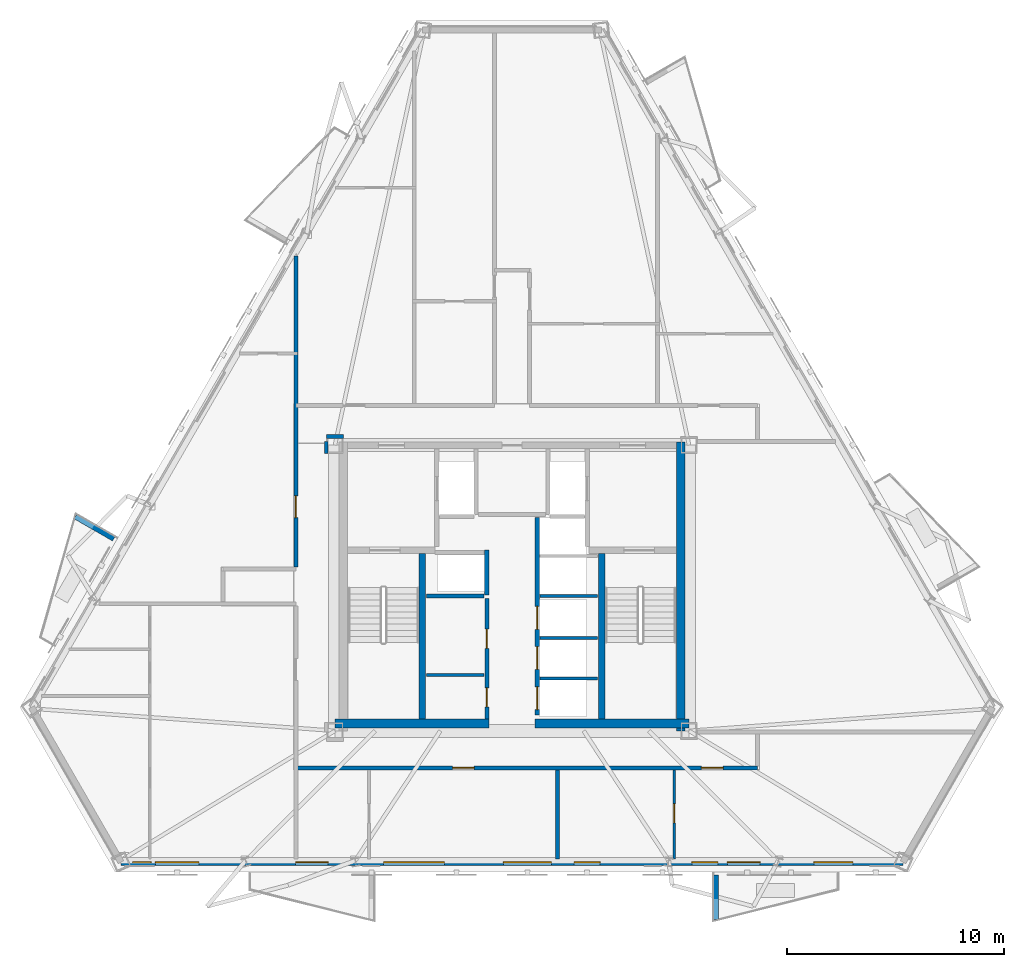
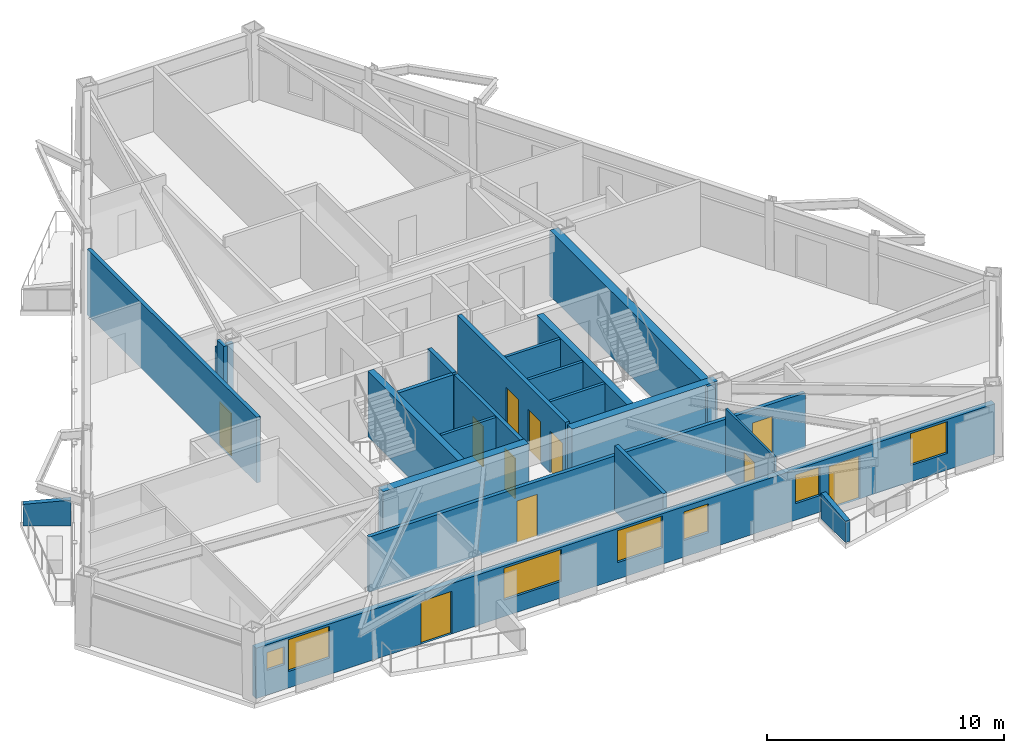
# One storey, part 3 of 9: 22 walls, 11 doors, 7 windows, 18 openings.
"""IFC4 building model written with IfcOpenShell, lengths in metres."""

from ifc_helpers import new_model, si_unit, direction, frame, frame_2d, origin, place, context, subcontext, project, spatial, polyline, rectangle, outline, extrude, material, layer, layer_set, type_object, element, fill, save


model = new_model("IFC4")

# Units and contexts
model_context = context("Model", 3, precision=1e-05, world=origin(), true_north=direction((0.0, 1.0)))
body_context = subcontext(model_context, "Body", "Model", "MODEL_VIEW")
ifc_project = project(units=[si_unit("LENGTHUNIT", "METRE"), si_unit("AREAUNIT", "SQUARE_METRE"), si_unit("VOLUMEUNIT", "CUBIC_METRE"), si_unit("PLANEANGLEUNIT", "RADIAN"), si_unit("MASSUNIT", "GRAM", prefix="KILO")], contexts=[model_context])

# Site, building, storey
site_placement = place(None, origin())
site = spatial("IfcSite", under=ifc_project, at=site_placement, CompositionType="ELEMENT")
building_placement = place(site_placement, origin())
building = spatial("IfcBuilding", under=site, at=building_placement, Name="Oramaril Tower", CompositionType="ELEMENT")
storey_placement = place(building_placement, frame((0.0, 0.0, 178.199951171875)))
storey = spatial("IfcBuildingStorey", under=building, at=storey_placement, Name="L47", CompositionType="ELEMENT", Elevation=178.199951171875)

# Wall, openings, doors, windows
ifc_material_1 = material(Name="Warm Cream Limestone", Category="masonry")
ifc_layer_1 = layer(ifc_material_1, 0.2900390625)
ifc_layer_set_1 = layer_set([ifc_layer_1], Name="WT-EXT29")
wall_type_1 = type_object("IfcWallType", Name="WT-EXT29", PredefinedType="SOLIDWALL", material=ifc_layer_set_1)
wall_1_placement = place(storey_placement, frame((19.50390625, 4.956787109375, 0.0), z_axis=(0.0, 0.0, 1.0), x_axis=(1.0, 0.0, 0.0)))
wall_1 = element("IfcWall", 1, at=wall_1_placement, inside=storey, type_object=wall_type_1, Name="L47 Tower Limestone Facade Wall 2M", PredefinedType="SOLIDWALL", context=body_context, shape_type="SweptSolid", body=[
    extrude(rectangle(XDim=35.9921875, YDim=0.2900390625, at=frame_2d((17.99609375, 0.0))), origin(), (0.0, 0.0, 1.0), 2.60009765625),
])
opening_1_placement = place(wall_1_placement, frame((8.034423828125, 0.0, 0.0)))
opening_1 = element("IfcOpeningElement", 2, at=opening_1_placement, cuts=wall_1, Name="Opening D-L47-BAL-S1", PredefinedType="OPENING", context=body_context, shape_type="SweptSolid", body=[
    extrude(rectangle(XDim=1.5, YDim=2.199951171875, at=frame_2d((0.75, 1.10009765625))), frame((0.0, 0.14501953125, 0.0), z_axis=(0.0, -1.0, 0.0), x_axis=(1.0, 0.0, 0.0)), (0.0, 0.0, 1.0), 0.2900390625),
])
opening_2_placement = place(wall_1_placement, frame((27.91259765625, 0.0, 0.0)))
opening_2 = element("IfcOpeningElement", 3, at=opening_2_placement, cuts=wall_1, Name="Opening D-L47-BAL-S2", PredefinedType="OPENING", context=body_context, shape_type="SweptSolid", body=[
    extrude(rectangle(XDim=1.5, YDim=2.199951171875, at=frame_2d((0.75, 1.10009765625))), frame((0.0, 0.14501953125, 0.0), z_axis=(0.0, -1.0, 0.0), x_axis=(1.0, 0.0, 0.0)), (0.0, 0.0, 1.0), 0.2900390625),
])
opening_3_placement = place(wall_1_placement, frame((12.08544921875, 0.0, 0.85009765625)))
opening_3 = element("IfcOpeningElement", 4, at=opening_3_placement, cuts=wall_1, Name="Opening WN-01", PredefinedType="OPENING", context=body_context, shape_type="SweptSolid", body=[
    extrude(rectangle(XDim=2.800048828125, YDim=1.639892578125, at=frame_2d((1.39990234375, 0.81982421875))), frame((0.0, 0.14501953125, 0.0), z_axis=(0.0, -1.0, 0.0), x_axis=(1.0, 0.0, 0.0)), (0.0, 0.0, 1.0), 0.2900390625),
])
opening_4_placement = place(wall_1_placement, frame((17.60302734375, 0.0, 0.85009765625)))
opening_4 = element("IfcOpeningElement", 5, at=opening_4_placement, cuts=wall_1, Name="Opening WN-04", PredefinedType="OPENING", context=body_context, shape_type="SweptSolid", body=[
    extrude(rectangle(XDim=2.199951171875, YDim=1.639892578125, at=frame_2d((1.10009765625, 0.81982421875))), frame((0.0, 0.14501953125, 0.0), z_axis=(0.0, -1.0, 0.0), x_axis=(1.0, 0.0, 0.0)), (0.0, 0.0, 1.0), 0.2900390625),
])
opening_5_placement = place(wall_1_placement, frame((26.271728515625, 0.0, 0.85009765625)))
opening_5 = element("IfcOpeningElement", 6, at=opening_5_placement, cuts=wall_1, Name="Opening WN-09", PredefinedType="OPENING", context=body_context, shape_type="SweptSolid", body=[
    extrude(rectangle(XDim=1.199951171875, YDim=1.47998046875, at=frame_2d((0.60009765625, 0.739990234375))), frame((0.0, 0.14501953125, 0.0), z_axis=(0.0, -1.0, 0.0), x_axis=(1.0, 0.0, 0.0)), (0.0, 0.0, 1.0), 0.2900390625),
])
opening_6_placement = place(wall_1_placement, frame((31.88525390625, 0.0, 0.85009765625)))
opening_6 = element("IfcOpeningElement", 7, at=opening_6_placement, cuts=wall_1, Name="Opening WN-06", PredefinedType="OPENING", context=body_context, shape_type="SweptSolid", body=[
    extrude(rectangle(XDim=1.800048828125, YDim=1.639892578125, at=frame_2d((0.89990234375, 0.81982421875))), frame((0.0, 0.14501953125, 0.0), z_axis=(0.0, -1.0, 0.0), x_axis=(1.0, 0.0, 0.0)), (0.0, 0.0, 1.0), 0.2900390625),
])
opening_7_placement = place(wall_1_placement, frame((20.85400390625, 0.0, 0.85009765625)))
opening_7 = element("IfcOpeningElement", 8, at=opening_7_placement, cuts=wall_1, Name="Opening WN-09", PredefinedType="OPENING", context=body_context, shape_type="SweptSolid", body=[
    extrude(rectangle(XDim=1.199951171875, YDim=1.47998046875, at=frame_2d((0.60009765625, 0.739990234375))), frame((0.0, 0.14501953125, 0.0), z_axis=(0.0, -1.0, 0.0), x_axis=(1.0, 0.0, 0.0)), (0.0, 0.0, 1.0), 0.2900390625),
])
opening_8_placement = place(wall_1_placement, frame((1.5869140625, 0.0, 0.85009765625)))
opening_8 = element("IfcOpeningElement", 9, at=opening_8_placement, cuts=wall_1, Name="Opening WN-05", PredefinedType="OPENING", context=body_context, shape_type="SweptSolid", body=[
    extrude(rectangle(XDim=2.0, YDim=1.639892578125, at=frame_2d((1.0, 0.81982421875))), frame((0.0, 0.14501953125, 0.0), z_axis=(0.0, -1.0, 0.0), x_axis=(1.0, 0.0, 0.0)), (0.0, 0.0, 1.0), 0.2900390625),
])
opening_9_placement = place(wall_1_placement, frame((0.534912109375, 0.0, 1.280029296875)))
opening_9 = element("IfcOpeningElement", 10, at=opening_9_placement, cuts=wall_1, Name="Opening WN-13", PredefinedType="OPENING", context=body_context, shape_type="SweptSolid", body=[
    extrude(rectangle(XDim=0.85009765625, YDim=0.919921875, at=frame_2d((0.425048828125, 0.4599609375))), frame((0.0, 0.14501953125, 0.0), z_axis=(0.0, -1.0, 0.0), x_axis=(1.0, 0.0, 0.0)), (0.0, 0.0, 1.0), 0.2900390625),
])
ifc_material_2 = material(Name="Anodised Aluminium 6063-T6", Category="aluminium")
door_type_1 = type_object("IfcDoorType", Name="DT-BAL", OperationType="NOTDEFINED", PredefinedType="DOOR", material=ifc_material_2)
door_1_placement = place(opening_1_placement, origin())
door_1 = element("IfcDoor", 11, at=door_1_placement, inside=storey, type_object=door_type_1, Name="L47 Balcony Glazed Door L47-BAL-S1", OperationType="SINGLE_SWING_RIGHT", OverallHeight=2.199951171875, OverallWidth=1.5, PredefinedType="DOOR", context=body_context, shape_type="SweptSolid", body=[
    extrude(rectangle(XDim=1.5, YDim=2.199951171875, at=frame_2d((0.75, 1.10009765625))), frame((0.0, 0.02490234375, 0.0), z_axis=(0.0, -1.0, 0.0), x_axis=(1.0, 0.0, 0.0)), (0.0, 0.0, 1.0), 0.050048828125),
])
fill(opening_1, door_1)
door_2_placement = place(opening_2_placement, origin())
door_2 = element("IfcDoor", 12, at=door_2_placement, inside=storey, type_object=door_type_1, Name="L47 Balcony Glazed Door L47-BAL-S2", OperationType="SINGLE_SWING_LEFT", OverallHeight=2.199951171875, OverallWidth=1.5, PredefinedType="DOOR", context=body_context, shape_type="SweptSolid", body=[
    extrude(rectangle(XDim=1.5, YDim=2.199951171875, at=frame_2d((0.75, 1.10009765625))), frame((0.0, 0.02490234375, 0.0), z_axis=(0.0, -1.0, 0.0), x_axis=(1.0, 0.0, 0.0)), (0.0, 0.0, 1.0), 0.050048828125),
])
fill(opening_2, door_2)
ifc_material_3 = material(Name="Coastal Low-E Insulated Glass", Category="glass")
window_type_1 = type_object("IfcWindowType", Name="WNT-01", PartitioningType="SINGLE_PANEL", PredefinedType="WINDOW", material=ifc_material_3)
window_1_placement = place(opening_3_placement, origin())
window_1 = element("IfcWindow", 13, at=window_1_placement, inside=storey, type_object=window_type_1, Name="L47 Chicago Bay Window WN-01", OverallHeight=1.639892578125, OverallWidth=2.800048828125, PartitioningType="SINGLE_PANEL", PredefinedType="WINDOW", context=body_context, shape_type="SweptSolid", body=[
    extrude(rectangle(XDim=2.800048828125, YDim=1.639892578125, at=frame_2d((1.39990234375, 0.81982421875))), frame((0.0, 0.030029296875, 0.0), z_axis=(0.0, -1.0, 0.0), x_axis=(1.0, 0.0, 0.0)), (0.0, 0.0, 1.0), 0.06005859375),
])
fill(opening_3, window_1)
ifc_material_4 = material(Name="Coastal Low-E Insulated Glass", Category="glass")
window_type_2 = type_object("IfcWindowType", Name="WNT-04", PartitioningType="SINGLE_PANEL", PredefinedType="WINDOW", material=ifc_material_4)
window_2_placement = place(opening_4_placement, origin())
window_2 = element("IfcWindow", 14, at=window_2_placement, inside=storey, type_object=window_type_2, Name="L47 Chicago Bay Window WN-04", OverallHeight=1.639892578125, OverallWidth=2.199951171875, PartitioningType="SINGLE_PANEL", PredefinedType="WINDOW", context=body_context, shape_type="SweptSolid", body=[
    extrude(rectangle(XDim=2.199951171875, YDim=1.639892578125, at=frame_2d((1.10009765625, 0.81982421875))), frame((0.0, 0.030029296875, 0.0), z_axis=(0.0, -1.0, 0.0), x_axis=(1.0, 0.0, 0.0)), (0.0, 0.0, 1.0), 0.06005859375),
])
fill(opening_4, window_2)
ifc_material_5 = material(Name="Coastal Low-E Insulated Glass", Category="glass")
window_type_3 = type_object("IfcWindowType", Name="WNT-05", PartitioningType="SINGLE_PANEL", PredefinedType="WINDOW", material=ifc_material_5)
window_3_placement = place(opening_8_placement, origin())
window_3 = element("IfcWindow", 15, at=window_3_placement, inside=storey, type_object=window_type_3, Name="L47 Chicago Bay Window WN-05", OverallHeight=1.639892578125, OverallWidth=2.0, PartitioningType="SINGLE_PANEL", PredefinedType="WINDOW", context=body_context, shape_type="SweptSolid", body=[
    extrude(rectangle(XDim=2.0, YDim=1.639892578125, at=frame_2d((1.0, 0.81982421875))), frame((0.0, 0.030029296875, 0.0), z_axis=(0.0, -1.0, 0.0), x_axis=(1.0, 0.0, 0.0)), (0.0, 0.0, 1.0), 0.06005859375),
])
fill(opening_8, window_3)
ifc_material_6 = material(Name="Coastal Low-E Insulated Glass", Category="glass")
window_type_4 = type_object("IfcWindowType", Name="WNT-06", PartitioningType="SINGLE_PANEL", PredefinedType="WINDOW", material=ifc_material_6)
window_4_placement = place(opening_6_placement, origin())
window_4 = element("IfcWindow", 16, at=window_4_placement, inside=storey, type_object=window_type_4, Name="L47 Chicago Bay Window WN-06", OverallHeight=1.639892578125, OverallWidth=1.800048828125, PartitioningType="SINGLE_PANEL", PredefinedType="WINDOW", context=body_context, shape_type="SweptSolid", body=[
    extrude(rectangle(XDim=1.800048828125, YDim=1.639892578125, at=frame_2d((0.89990234375, 0.81982421875))), frame((0.0, 0.030029296875, 0.0), z_axis=(0.0, -1.0, 0.0), x_axis=(1.0, 0.0, 0.0)), (0.0, 0.0, 1.0), 0.06005859375),
])
fill(opening_6, window_4)
ifc_material_7 = material(Name="Coastal Low-E Insulated Glass", Category="glass")
window_type_5 = type_object("IfcWindowType", Name="WNT-09", PartitioningType="SINGLE_PANEL", PredefinedType="WINDOW", material=ifc_material_7)
window_5_placement = place(opening_5_placement, origin())
window_5 = element("IfcWindow", 17, at=window_5_placement, inside=storey, type_object=window_type_5, Name="L47 Chicago Bay Window WN-09", OverallHeight=1.47998046875, OverallWidth=1.199951171875, PartitioningType="SINGLE_PANEL", PredefinedType="WINDOW", context=body_context, shape_type="SweptSolid", body=[
    extrude(rectangle(XDim=1.199951171875, YDim=1.47998046875, at=frame_2d((0.60009765625, 0.739990234375))), frame((0.0, 0.030029296875, 0.0), z_axis=(0.0, -1.0, 0.0), x_axis=(1.0, 0.0, 0.0)), (0.0, 0.0, 1.0), 0.06005859375),
])
fill(opening_5, window_5)
window_6_placement = place(opening_7_placement, origin())
window_6 = element("IfcWindow", 18, at=window_6_placement, inside=storey, type_object=window_type_5, Name="L47 Chicago Bay Window WN-09", OverallHeight=1.47998046875, OverallWidth=1.199951171875, PartitioningType="SINGLE_PANEL", PredefinedType="WINDOW", context=body_context, shape_type="SweptSolid", body=[
    extrude(rectangle(XDim=1.199951171875, YDim=1.47998046875, at=frame_2d((0.60009765625, 0.739990234375))), frame((0.0, 0.030029296875, 0.0), z_axis=(0.0, -1.0, 0.0), x_axis=(1.0, 0.0, 0.0)), (0.0, 0.0, 1.0), 0.06005859375),
])
fill(opening_7, window_6)
ifc_material_8 = material(Name="Coastal Low-E Insulated Glass", Category="glass")
window_type_6 = type_object("IfcWindowType", Name="WNT-13", PartitioningType="SINGLE_PANEL", PredefinedType="WINDOW", material=ifc_material_8)
window_7_placement = place(opening_9_placement, origin())
window_7 = element("IfcWindow", 19, at=window_7_placement, inside=storey, type_object=window_type_6, Name="L47 Apartment Bedroom Window WN-13", OverallHeight=0.919921875, OverallWidth=0.85009765625, PartitioningType="SINGLE_PANEL", PredefinedType="WINDOW", context=body_context, shape_type="SweptSolid", body=[
    extrude(rectangle(XDim=0.85009765625, YDim=0.919921875, at=frame_2d((0.425048828125, 0.4599609375))), frame((0.0, 0.030029296875, 0.0), z_axis=(0.0, -1.0, 0.0), x_axis=(1.0, 0.0, 0.0)), (0.0, 0.0, 1.0), 0.06005859375),
])
fill(opening_9, window_7)

# Walls
ifc_material_9 = material(Name="Concrete C40/50", Category="concrete")
ifc_layer_2 = layer(ifc_material_9, 0.22998046875)
ifc_layer_set_2 = layer_set([ifc_layer_2], Name="WT-PRP23")
wall_type_2 = type_object("IfcWallType", Name="WT-PRP23", PredefinedType="PARAPET", material=ifc_layer_set_2)
for number, where, z_axis, x_axis, name in (
    (20, (46.8916015625, 4.35888671875, 0.0), (0.0, 0.0, 1.0), (0.0, -1.0, 0.0), "L47 Trapezoidal Balcony Frame Cheek L47-BAL-S2-L"),
    (21, (19.171875, 19.837158203125, 0.0), (0.0, 0.0, 1.0), (-0.866012356593, 0.500022597718, 0.0), "L47 Trapezoidal Balcony Frame Cheek L47-BAL-NW2-L"),
):
    element("IfcWall", number, at=place(storey_placement, frame(where, z_axis=z_axis, x_axis=x_axis)), inside=storey, type_object=wall_type_2, Name=name, PredefinedType="PARAPET", context=body_context, shape_type="SweptSolid", body=[
        extrude(outline(polyline([(0.0, 0.0), (2.0419921875, 0.0), (2.0419921875, 1.10009765625), (0.0, 1.320068359375), (0.0, 0.0)])), frame((0.0, 0.114990234375, 0.0), z_axis=(0.0, -1.0, 0.0), x_axis=(1.0, 0.0, 0.0)), (0.0, 0.0, 1.0), 0.22998046875),
    ])

# Wall, opening, door
ifc_material_10 = material(Name="Acoustic Gypsum Board Partition")
ifc_layer_3 = layer(ifc_material_10, 0.10009765625)
ifc_layer_set_3 = layer_set([ifc_layer_3], Name="WT-PT10")
wall_type_3 = type_object("IfcWallType", Name="WT-PT10", PredefinedType="PARTITIONING", material=ifc_layer_set_3)
wall_2_placement = place(storey_placement, frame((44.969970703125, 5.105712890625, 0.0), z_axis=(0.0, 0.0, 1.0), x_axis=(0.0, 1.0, 0.0)))
wall_2 = element("IfcWall", 22, at=wall_2_placement, inside=storey, type_object=wall_type_3, Name="L47 Interior Partition PT-10", PredefinedType="PARTITIONING", context=body_context, shape_type="SweptSolid", body=[
    extrude(rectangle(XDim=4.100341796875, YDim=0.10009765625, at=frame_2d((2.05029296875, 0.0))), origin(), (0.0, 0.0, 1.0), 3.380126953125),
])
opening_10_placement = place(wall_2_placement, frame((1.65771484375, 0.0, 0.0)))
opening_10 = element("IfcOpeningElement", 23, at=opening_10_placement, cuts=wall_2, Name="Opening D-L47-18", PredefinedType="OPENING", context=body_context, shape_type="SweptSolid", body=[
    extrude(rectangle(XDim=0.8798828125, YDim=2.080078125, at=frame_2d((0.43994140625, 1.0400390625))), frame((0.0, 0.050048828125, 0.0), z_axis=(0.0, -1.0, 0.0), x_axis=(1.0, 0.0, 0.0)), (0.0, 0.0, 1.0), 0.10009765625),
])
ifc_material_11 = material(Name="FSC Brazilian Freijo Hardwood", Category="wood")
door_type_2 = type_object("IfcDoorType", Name="DT-BATH", OperationType="NOTDEFINED", PredefinedType="DOOR", material=ifc_material_11)
door_3_placement = place(opening_10_placement, origin())
door_3 = element("IfcDoor", 24, at=door_3_placement, inside=storey, type_object=door_type_2, Name="L47 Flat L47-U2 Bathroom Door D-L47-18", OperationType="SINGLE_SWING_LEFT", OverallHeight=2.080078125, OverallWidth=0.8798828125, PredefinedType="DOOR", context=body_context, shape_type="SweptSolid", body=[
    extrude(rectangle(XDim=0.8798828125, YDim=2.080078125, at=frame_2d((0.43994140625, 1.0400390625))), frame((0.0, 0.02490234375, 0.0), z_axis=(0.0, -1.0, 0.0), x_axis=(1.0, 0.0, 0.0)), (0.0, 0.0, 1.0), 0.050048828125),
])
fill(opening_10, door_3)

# Walls
ifc_material_12 = material(Name="Acoustic Gypsum Board Partition")
ifc_layer_4 = layer(ifc_material_12, 0.139892578125)
ifc_layer_set_4 = layer_set([ifc_layer_4], Name="WT-PT14")
wall_type_4 = type_object("IfcWallType", Name="WT-PT14", PredefinedType="PARTITIONING", material=ifc_layer_set_4)
for number, where, z_axis, x_axis, name in (
    (25, (33.56005859375, 13.570068359375, 0.0), (0.0, 0.0, 1.0), (1.0, 0.0, 0.0), "L47 Freed Shaft Divider"),
    (26, (38.780029296875, 13.419921875, 0.0), (0.0, 0.0, 1.0), (1.0, 0.0, 0.0), "L47 East Lift Divider"),
    (27, (38.780029296875, 15.27001953125, 0.0), (0.0, 0.0, 1.0), (1.0, 0.0, 0.0), "L47 East Lift Divider"),
    (28, (38.780029296875, 17.199951171875, 0.0), (0.0, 0.0, 1.0), (1.0, 0.0, 0.0), "L47 East Lift Divider"),
):
    element("IfcWall", number, at=place(storey_placement, frame(where, z_axis=z_axis, x_axis=x_axis)), inside=storey, type_object=wall_type_4, Name=name, PredefinedType="PARTITIONING", context=body_context, shape_type="SweptSolid", body=[
        extrude(rectangle(XDim=2.659912109375, YDim=0.139892578125, at=frame_2d((1.330078125, 0.0))), origin(), (0.0, 0.0, 1.0), 3.380126953125),
    ])
ifc_material_13 = material(Name="Autoclaved Cellular Concrete Block", Category="concrete")
ifc_layer_5 = layer(ifc_material_13, 0.179931640625)
ifc_layer_set_5 = layer_set([ifc_layer_5], Name="WT-PT18")
wall_type_5 = type_object("IfcWallType", Name="WT-PT18", PredefinedType="PARTITIONING", material=ifc_layer_set_5)
wall_3_placement = place(storey_placement, frame((33.56005859375, 17.199951171875, 0.0), z_axis=(0.0, 0.0, 1.0), x_axis=(1.0, 0.0, 0.0)))
element("IfcWall", 29, at=wall_3_placement, inside=storey, type_object=wall_type_5, Name="L47 High-Rise Lift H1 South Wall", PredefinedType="PARTITIONING", context=body_context, shape_type="SweptSolid", body=[
    extrude(rectangle(XDim=2.659912109375, YDim=0.179931640625, at=frame_2d((1.330078125, 0.0))), origin(), (0.0, 0.0, 1.0), 3.380126953125),
])

# Wall, openings, doors
wall_4_placement = place(storey_placement, frame((36.340087890625, 11.550048828125, 0.0), z_axis=(0.0, 0.0, 1.0), x_axis=(0.0, 1.0, 0.0)))
wall_4 = element("IfcWall", 30, at=wall_4_placement, inside=storey, type_object=wall_type_5, Name="L47 Freed Shaft Study East Wall", PredefinedType="PARTITIONING", context=body_context, shape_type="SweptSolid", body=[
    extrude(rectangle(XDim=5.550048828125, YDim=0.179931640625, at=frame_2d((2.77490234375, 0.0))), origin(), (0.0, 0.0, 1.0), 3.380126953125),
])
opening_11_placement = place(wall_4_placement, frame((0.550048828125, 0.0, 0.0)))
opening_11 = element("IfcOpeningElement", 31, at=opening_11_placement, cuts=wall_4, Name="Opening D-L47-FL1", PredefinedType="OPENING", context=body_context, shape_type="SweptSolid", body=[
    extrude(rectangle(XDim=0.8798828125, YDim=2.080078125, at=frame_2d((0.43994140625, 1.0400390625))), frame((0.0, 0.08984375, 0.0), z_axis=(0.0, -1.0, 0.0), x_axis=(1.0, 0.0, 0.0)), (0.0, 0.0, 1.0), 0.179931640625),
])
opening_12_placement = place(wall_4_placement, frame((3.25, 0.0, 0.0)))
opening_12 = element("IfcOpeningElement", 32, at=opening_12_placement, cuts=wall_4, Name="Opening D-L47-FL2", PredefinedType="OPENING", context=body_context, shape_type="SweptSolid", body=[
    extrude(rectangle(XDim=0.8798828125, YDim=2.080078125, at=frame_2d((0.43994140625, 1.0400390625))), frame((0.0, 0.08984375, 0.0), z_axis=(0.0, -1.0, 0.0), x_axis=(1.0, 0.0, 0.0)), (0.0, 0.0, 1.0), 0.179931640625),
])
door_4_placement = place(opening_11_placement, origin())
door_4 = element("IfcDoor", 33, at=door_4_placement, inside=storey, type_object=door_type_2, Name="L47 L47 Residents Tasting Dining Nook Door", OperationType="SINGLE_SWING_LEFT", OverallHeight=2.080078125, OverallWidth=0.8798828125, PredefinedType="DOOR", context=body_context, shape_type="SweptSolid", body=[
    extrude(rectangle(XDim=0.8798828125, YDim=2.080078125, at=frame_2d((0.43994140625, 1.0400390625))), frame((0.0, 0.02490234375, 0.0), z_axis=(0.0, -1.0, 0.0), x_axis=(1.0, 0.0, 0.0)), (0.0, 0.0, 1.0), 0.050048828125),
])
fill(opening_11, door_4)
door_5_placement = place(opening_12_placement, origin())
door_5 = element("IfcDoor", 34, at=door_5_placement, inside=storey, type_object=door_type_2, Name="L47 L47 Floor Co-Work Office Door", OperationType="SINGLE_SWING_RIGHT", OverallHeight=2.080078125, OverallWidth=0.8798828125, PredefinedType="DOOR", context=body_context, shape_type="SweptSolid", body=[
    extrude(rectangle(XDim=0.8798828125, YDim=2.080078125, at=frame_2d((0.43994140625, 1.0400390625))), frame((0.0, 0.02490234375, 0.0), z_axis=(0.0, -1.0, 0.0), x_axis=(1.0, 0.0, 0.0)), (0.0, 0.0, 1.0), 0.050048828125),
])
fill(opening_12, door_5)

wall_5_placement = place(storey_placement, frame((27.550048828125, 9.300048828125, 0.0), z_axis=(0.0, 0.0, 1.0), x_axis=(1.0, 0.0, 0.0)))
wall_5 = element("IfcWall", 35, at=wall_5_placement, inside=storey, type_object=wall_type_5, Name="L47 Interior Partition PT-18", PredefinedType="PARTITIONING", context=body_context, shape_type="SweptSolid", body=[
    extrude(rectangle(XDim=21.25, YDim=0.179931640625, at=frame_2d((10.625, 0.0))), origin(), (0.0, 0.0, 1.0), 2.842041015625),
])
opening_13_placement = place(wall_5_placement, frame((7.2119140625, 0.0, 0.0)))
opening_13 = element("IfcOpeningElement", 36, at=opening_13_placement, cuts=wall_5, Name="Opening D-L47-01", PredefinedType="OPENING", context=body_context, shape_type="SweptSolid", body=[
    extrude(rectangle(XDim=1.0, YDim=2.179931640625, at=frame_2d((0.5, 1.08984375))), frame((0.0, 0.08984375, 0.0), z_axis=(0.0, -1.0, 0.0), x_axis=(1.0, 0.0, 0.0)), (0.0, 0.0, 1.0), 0.179931640625),
])
opening_14_placement = place(wall_5_placement, frame((18.670654296875, 0.0, 0.0)))
opening_14 = element("IfcOpeningElement", 37, at=opening_14_placement, cuts=wall_5, Name="Opening D-L47-02", PredefinedType="OPENING", context=body_context, shape_type="SweptSolid", body=[
    extrude(rectangle(XDim=1.0, YDim=2.179931640625, at=frame_2d((0.5, 1.08984375))), frame((0.0, 0.08984375, 0.0), z_axis=(0.0, -1.0, 0.0), x_axis=(1.0, 0.0, 0.0)), (0.0, 0.0, 1.0), 0.179931640625),
])
ifc_material_14 = material(Name="FSC Brazilian Freijo Hardwood", Category="wood")
door_type_3 = type_object("IfcDoorType", Name="DT-APT", OperationType="NOTDEFINED", PredefinedType="DOOR", material=ifc_material_14)
door_6_placement = place(opening_13_placement, origin())
door_6 = element("IfcDoor", 38, at=door_6_placement, inside=storey, type_object=door_type_3, Name="L47 Flat L47-U1 Kitchen and Studio Apartment Door D-L47-01", OperationType="SINGLE_SWING_RIGHT", OverallHeight=2.179931640625, OverallWidth=1.0, PredefinedType="DOOR", context=body_context, shape_type="SweptSolid", body=[
    extrude(rectangle(XDim=1.0, YDim=2.179931640625, at=frame_2d((0.5, 1.08984375))), frame((0.0, 0.02490234375, 0.0), z_axis=(0.0, -1.0, 0.0), x_axis=(1.0, 0.0, 0.0)), (0.0, 0.0, 1.0), 0.050048828125),
])
fill(opening_13, door_6)
door_7_placement = place(opening_14_placement, origin())
door_7 = element("IfcDoor", 39, at=door_7_placement, inside=storey, type_object=door_type_3, Name="L47 Flat L47-U2 Kitchen and Studio Apartment Door D-L47-02", OperationType="SINGLE_SWING_LEFT", OverallHeight=2.179931640625, OverallWidth=1.0, PredefinedType="DOOR", context=body_context, shape_type="SweptSolid", body=[
    extrude(rectangle(XDim=1.0, YDim=2.179931640625, at=frame_2d((0.5, 1.08984375))), frame((0.0, 0.02490234375, 0.0), z_axis=(0.0, -1.0, 0.0), x_axis=(1.0, 0.0, 0.0)), (0.0, 0.0, 1.0), 0.050048828125),
])
fill(opening_14, door_7)

# Wall
wall_6_placement = place(storey_placement, frame((28.955078125, 24.550048828125, 0.0), z_axis=(0.0, 0.0, 1.0), x_axis=(1.0, 0.0, 0.0)))
element("IfcWall", 40, at=wall_6_placement, inside=storey, type_object=wall_type_5, Name="L47 Interior Partition PT-18", PredefinedType="PARTITIONING", context=body_context, shape_type="SweptSolid", body=[
    extrude(rectangle(XDim=0.7900390625, YDim=0.179931640625, at=frame_2d((0.39501953125, 0.0))), origin(), (0.0, 0.0, 1.0), 2.842041015625),
])

# Wall, opening, door
wall_7_placement = place(storey_placement, frame((27.550048828125, 18.5439453125, 0.0), z_axis=(0.0, 0.0, 1.0), x_axis=(0.0, 1.0, 0.0)))
wall_7 = element("IfcWall", 41, at=wall_7_placement, inside=storey, type_object=wall_type_5, Name="L47 Interior Partition PT-18", PredefinedType="PARTITIONING", context=body_context, shape_type="SweptSolid", body=[
    extrude(rectangle(XDim=14.310546875, YDim=0.179931640625, at=frame_2d((7.1552734375, 0.0))), origin(), (0.0, 0.0, 1.0), 3.380126953125),
])
opening_15_placement = place(wall_7_placement, frame((2.26708984375, 0.0, 0.0)))
opening_15 = element("IfcOpeningElement", 42, at=opening_15_placement, cuts=wall_7, Name="Opening D-L47-14", PredefinedType="OPENING", context=body_context, shape_type="SweptSolid", body=[
    extrude(rectangle(XDim=1.0, YDim=2.179931640625, at=frame_2d((0.5, 1.08984375))), frame((0.0, 0.08984375, 0.0), z_axis=(0.0, -1.0, 0.0), x_axis=(1.0, 0.0, 0.0)), (0.0, 0.0, 1.0), 0.179931640625),
])
door_8_placement = place(opening_15_placement, origin())
door_8 = element("IfcDoor", 43, at=door_8_placement, inside=storey, type_object=door_type_3, Name="L47 Flat L47-U4 Kitchen and Studio Apartment Door D-L47-14", OperationType="SINGLE_SWING_LEFT", OverallHeight=2.179931640625, OverallWidth=1.0, PredefinedType="DOOR", context=body_context, shape_type="SweptSolid", body=[
    extrude(rectangle(XDim=1.0, YDim=2.179931640625, at=frame_2d((0.5, 1.08984375))), frame((0.0, 0.02490234375, 0.0), z_axis=(0.0, -1.0, 0.0), x_axis=(1.0, 0.0, 0.0)), (0.0, 0.0, 1.0), 0.050048828125),
])
fill(opening_15, door_8)

# Walls
wall_8_placement = place(storey_placement, frame((28.949951171875, 23.7548828125, 0.0), z_axis=(0.0, 0.0, 1.0), x_axis=(0.0, 1.0, 0.0)))
element("IfcWall", 44, at=wall_8_placement, inside=storey, type_object=wall_type_5, Name="L47 Interior Partition PT-18", PredefinedType="PARTITIONING", context=body_context, shape_type="SweptSolid", body=[
    extrude(rectangle(XDim=0.565185546875, YDim=0.179931640625, at=frame_2d((0.28271484375, 0.0))), origin(), (0.0, 0.0, 1.0), 3.380126953125),
])
wall_9_placement = place(storey_placement, frame((39.60009765625, 5.105712890625, 0.0), z_axis=(0.0, 0.0, 1.0), x_axis=(0.0, 1.0, 0.0)))
element("IfcWall", 45, at=wall_9_placement, inside=storey, type_object=wall_type_5, Name="L47 Interior Partition PT-18", PredefinedType="PARTITIONING", context=body_context, shape_type="SweptSolid", body=[
    extrude(rectangle(XDim=4.100341796875, YDim=0.179931640625, at=frame_2d((2.05029296875, 0.0))), origin(), (0.0, 0.0, 1.0), 3.380126953125),
])
ifc_material_15 = material(Name="Concrete C50/60", Category="concrete")
ifc_layer_6 = layer(ifc_material_15, 0.300048828125)
ifc_layer_set_6 = layer_set([ifc_layer_6], Name="WT-SH30")
wall_type_6 = type_object("IfcWallType", Name="WT-SH30", PredefinedType="SHEAR", material=ifc_layer_set_6)
for number, where, z_axis, x_axis, name in (
    (46, (33.3798828125, 11.5400390625, 0.0), (0.0, 0.0, 1.0), (0.0, 1.0, 0.0), "L47 Core Shear Wall CW-ST1E"),
    (47, (41.6201171875, 11.5400390625, 0.0), (0.0, 0.0, 1.0), (0.0, 1.0, 0.0), "L47 Core Shear Wall CW-ST2W"),
):
    element("IfcWall", number, at=place(storey_placement, frame(where, z_axis=z_axis, x_axis=x_axis)), inside=storey, type_object=wall_type_6, Name=name, PredefinedType="SHEAR", context=body_context, shape_type="SweptSolid", body=[
        extrude(rectangle(XDim=7.619873046875, YDim=0.300048828125, at=frame_2d((3.81005859375, 0.0))), origin(), (0.0, 0.0, 1.0), 3.380126953125),
    ])
ifc_material_16 = material(Name="Concrete C50/60", Category="concrete")
ifc_layer_7 = layer(ifc_material_16, 0.39990234375)
ifc_layer_set_7 = layer_set([ifc_layer_7], Name="WT-SH40")
wall_type_7 = type_object("IfcWallType", Name="WT-SH40", PredefinedType="SHEAR", material=ifc_layer_set_7)
wall_10_placement = place(storey_placement, frame((45.260009765625, 11.0, 0.0), z_axis=(0.0, 0.0, 1.0), x_axis=(0.0, 1.0, 0.0)))
element("IfcWall", 48, at=wall_10_placement, inside=storey, type_object=wall_type_7, Name="L47 Core Shear Wall CW-E", PredefinedType="SHEAR", context=body_context, shape_type="SweptSolid", body=[
    extrude(rectangle(XDim=13.300048828125, YDim=0.39990234375, at=frame_2d((6.64990234375, 0.0))), origin(), (0.0, 0.0, 1.0), 3.380126953125),
])
for number, where, z_axis, x_axis, name in (
    (49, (29.35009765625, 11.340087890625, 0.0), (0.0, 0.0, 1.0), (1.0, 0.0, 0.0), "L47 Core Shear Wall CW-SW"),
    (50, (38.550048828125, 11.340087890625, 0.0), (0.0, 0.0, 1.0), (1.0, 0.0, 0.0), "L47 Core Shear Wall CW-SE"),
):
    element("IfcWall", number, at=place(storey_placement, frame(where, z_axis=z_axis, x_axis=x_axis)), inside=storey, type_object=wall_type_7, Name=name, PredefinedType="SHEAR", context=body_context, shape_type="SweptSolid", body=[
        extrude(rectangle(XDim=7.099853515625, YDim=0.39990234375, at=frame_2d((3.5498046875, 0.0))), origin(), (0.0, 0.0, 1.0), 3.380126953125),
    ])
ifc_material_17 = material(Name="Autoclaved Cellular Concrete Block", Category="concrete")
ifc_layer_8 = layer(ifc_material_17, 0.199951171875)
ifc_layer_set_8 = layer_set([ifc_layer_8], Name="WT-SHF20")
wall_type_8 = type_object("IfcWallType", Name="WT-SHF20", PredefinedType="PARTITIONING", material=ifc_layer_set_8)
wall_11_placement = place(storey_placement, frame((36.340087890625, 17.25, 0.0), z_axis=(0.0, 0.0, 1.0), x_axis=(0.0, 1.0, 0.0)))
element("IfcWall", 51, at=wall_11_placement, inside=storey, type_object=wall_type_8, Name="L47 High-Rise Lift H1 Front Wall", PredefinedType="PARTITIONING", context=body_context, shape_type="SweptSolid", body=[
    extrude(rectangle(XDim=2.070068359375, YDim=0.199951171875, at=frame_2d((1.03515625, 0.0))), origin(), (0.0, 0.0, 1.0), 3.380126953125),
])

# Wall, openings, doors
wall_12_placement = place(storey_placement, frame((38.659912109375, 11.719970703125, 0.0), z_axis=(0.0, 0.0, 1.0), x_axis=(0.0, 1.0, 0.0)))
wall_12 = element("IfcWall", 52, at=wall_12_placement, inside=storey, type_object=wall_type_8, Name="L47 East Lift Bank Front Wall", PredefinedType="PARTITIONING", context=body_context, shape_type="SweptSolid", body=[
    extrude(rectangle(XDim=9.10009765625, YDim=0.199951171875, at=frame_2d((4.550048828125, 0.0))), origin(), (0.0, 0.0, 1.0), 3.380126953125),
])
opening_16_placement = place(wall_12_placement, frame((0.2548828125, 0.0, 0.0)))
opening_16 = element("IfcOpeningElement", 53, at=opening_16_placement, cuts=wall_12, Name="Opening LD-L47-LP-M1", PredefinedType="OPENING", context=body_context, shape_type="SweptSolid", body=[
    extrude(rectangle(XDim=1.050048828125, YDim=2.14990234375, at=frame_2d((0.52490234375, 1.074951171875))), frame((0.0, 0.10009765625, 0.0), z_axis=(0.0, -1.0, 0.0), x_axis=(1.0, 0.0, 0.0)), (0.0, 0.0, 1.0), 0.199951171875),
])
opening_17_placement = place(wall_12_placement, frame((2.10498046875, 0.0, 0.0)))
opening_17 = element("IfcOpeningElement", 54, at=opening_17_placement, cuts=wall_12, Name="Opening LD-L47-LP-M2", PredefinedType="OPENING", context=body_context, shape_type="SweptSolid", body=[
    extrude(rectangle(XDim=1.050048828125, YDim=2.14990234375, at=frame_2d((0.52490234375, 1.074951171875))), frame((0.0, 0.10009765625, 0.0), z_axis=(0.0, -1.0, 0.0), x_axis=(1.0, 0.0, 0.0)), (0.0, 0.0, 1.0), 0.199951171875),
])
opening_18_placement = place(wall_12_placement, frame((3.955078125, 0.0, 0.0)))
opening_18 = element("IfcOpeningElement", 55, at=opening_18_placement, cuts=wall_12, Name="Opening LD-L47-LP-M3", PredefinedType="OPENING", context=body_context, shape_type="SweptSolid", body=[
    extrude(rectangle(XDim=1.050048828125, YDim=2.14990234375, at=frame_2d((0.52490234375, 1.074951171875))), frame((0.0, 0.10009765625, 0.0), z_axis=(0.0, -1.0, 0.0), x_axis=(1.0, 0.0, 0.0)), (0.0, 0.0, 1.0), 0.199951171875),
])
ifc_material_18 = material(Name="Stainless Steel 316L", Category="steel")
door_type_4 = type_object("IfcDoorType", Name="DT-LD2", OperationType="NOTDEFINED", PredefinedType="DOOR", material=ifc_material_18)
door_9_placement = place(opening_16_placement, origin())
door_9 = element("IfcDoor", 56, at=door_9_placement, inside=storey, type_object=door_type_4, Name="L47 Lift LP-M1 Sliding Landing Door", OperationType="SLIDING_TO_RIGHT", OverallHeight=2.14990234375, OverallWidth=1.050048828125, PredefinedType="DOOR", context=body_context, shape_type="SweptSolid", body=[
    extrude(rectangle(XDim=1.050048828125, YDim=2.14990234375, at=frame_2d((0.52490234375, 1.074951171875))), frame((0.0, 0.02490234375, 0.0), z_axis=(0.0, -1.0, 0.0), x_axis=(1.0, 0.0, 0.0)), (0.0, 0.0, 1.0), 0.050048828125),
])
fill(opening_16, door_9)
door_10_placement = place(opening_17_placement, origin())
door_10 = element("IfcDoor", 57, at=door_10_placement, inside=storey, type_object=door_type_4, Name="L47 Lift LP-M2 Sliding Landing Door", OperationType="SLIDING_TO_LEFT", OverallHeight=2.14990234375, OverallWidth=1.050048828125, PredefinedType="DOOR", context=body_context, shape_type="SweptSolid", body=[
    extrude(rectangle(XDim=1.050048828125, YDim=2.14990234375, at=frame_2d((0.52490234375, 1.074951171875))), frame((0.0, 0.02490234375, 0.0), z_axis=(0.0, -1.0, 0.0), x_axis=(1.0, 0.0, 0.0)), (0.0, 0.0, 1.0), 0.050048828125),
])
fill(opening_17, door_10)
door_11_placement = place(opening_18_placement, origin())
door_11 = element("IfcDoor", 58, at=door_11_placement, inside=storey, type_object=door_type_4, Name="L47 Lift LP-M3 Sliding Landing Door", OperationType="SLIDING_TO_RIGHT", OverallHeight=2.14990234375, OverallWidth=1.050048828125, PredefinedType="DOOR", context=body_context, shape_type="SweptSolid", body=[
    extrude(rectangle(XDim=1.050048828125, YDim=2.14990234375, at=frame_2d((0.52490234375, 1.074951171875))), frame((0.0, 0.02490234375, 0.0), z_axis=(0.0, -1.0, 0.0), x_axis=(1.0, 0.0, 0.0)), (0.0, 0.0, 1.0), 0.050048828125),
])
fill(opening_18, door_11)

save(model, "model.ifc")
